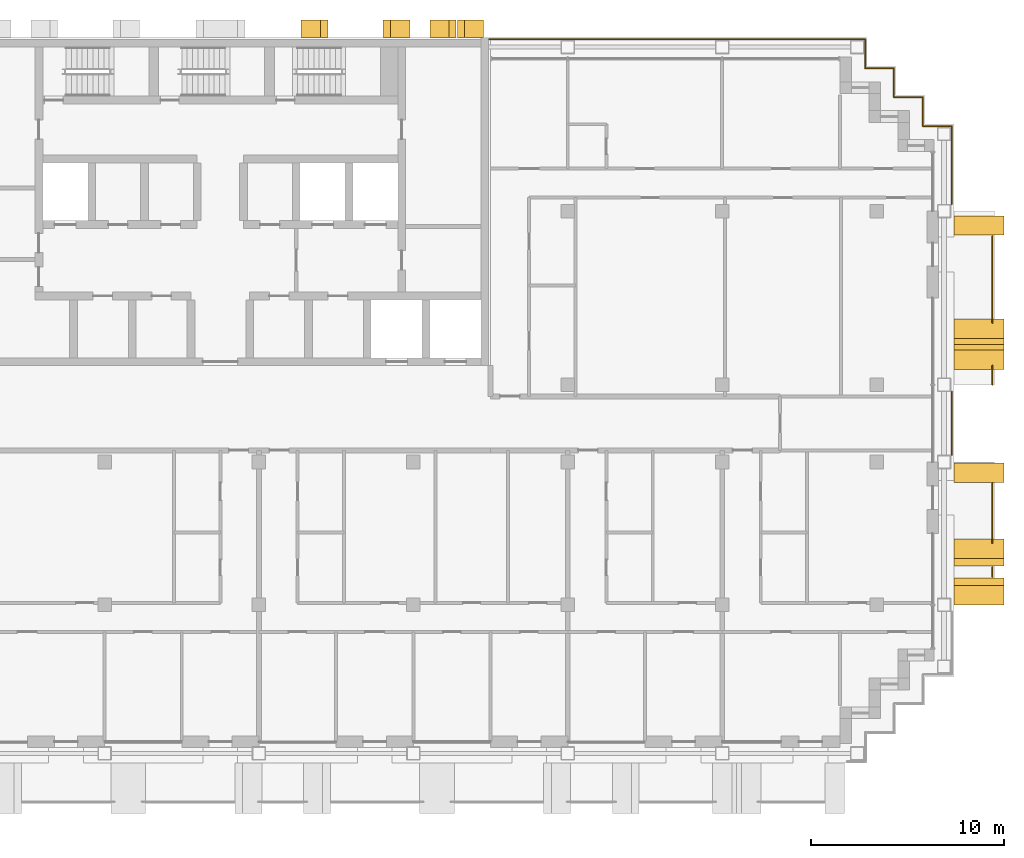
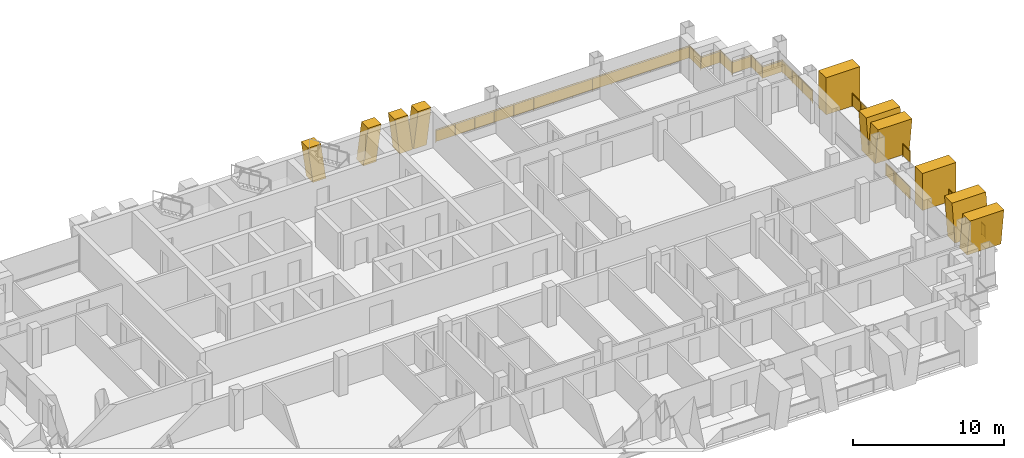
# One storey, part 16 of 16: 9 shading devices, 8 railings.
"""IFC4 building model written with IfcOpenShell, lengths in metres."""

from ifc_helpers import new_model, si_unit, direction, frame, origin, origin_2d, place, context, subcontext, project, spatial, polyline, rectangle, circle, outline, extrude, material, layer, layer_set, type_object, element, save


model = new_model("IFC4")

# Units and contexts
model_context = context("Model", 3, precision=1e-05, world=origin(), true_north=direction((0.0, 1.0)))
body_context = subcontext(model_context, "Body", "Model", "MODEL_VIEW")
ifc_project = project(units=[si_unit("LENGTHUNIT", "METRE"), si_unit("AREAUNIT", "SQUARE_METRE"), si_unit("VOLUMEUNIT", "CUBIC_METRE"), si_unit("PLANEANGLEUNIT", "RADIAN"), si_unit("MASSUNIT", "GRAM", prefix="KILO")], contexts=[model_context])

# Site, building, storey
site_placement = place(None, origin())
site = spatial("IfcSite", under=ifc_project, at=site_placement, CompositionType="ELEMENT")
building_placement = place(site_placement, origin())
building = spatial("IfcBuilding", under=site, at=building_placement, Name="Vidyagriha Tower", CompositionType="ELEMENT")
storey_placement = place(building_placement, frame((0.0, 0.0, 181.300048828125)))
storey = spatial("IfcBuildingStorey", under=building, at=storey_placement, Name="L47", CompositionType="ELEMENT", Elevation=181.300048828125)

# Railings
ifc_material_1 = material(Name="Steel ASTM A500 Grade C black painted", Category="steel")
railing_type_1 = type_object("IfcRailingType", Name="Balcony guard 1100", PredefinedType="BALUSTRADE", material=ifc_material_1)
railing_1_placement = place(storey_placement, frame((40.0, -7.949951171875, 0.0)))
element("IfcRailing", 1, at=railing_1_placement, inside=storey, type_object=railing_type_1, Name="Balcony guard L47 R30.1-1", PredefinedType="BALUSTRADE", context=body_context, shape_type="SweptSolid", body=[
    extrude(circle(Radius=0.02490234375, at=origin_2d()), frame((0.0, 0.0, 1.0751953125), z_axis=(0.0, 1.0, 0.0), x_axis=(-1.0, 0.0, 0.0)), (0.0, 0.0, 1.0), 0.5),
    extrude(circle(Radius=0.02001953125, at=origin_2d()), origin(), (0.0, 0.0, 1.0), 1.050048828125),
    extrude(circle(Radius=0.02001953125, at=origin_2d()), frame((0.0, 0.5, 0.0)), (0.0, 0.0, 1.0), 1.050048828125),
    extrude(rectangle(XDim=0.010009765625, YDim=0.900146484375, at=origin_2d()), frame((0.0, 0.0, 0.550048828125), z_axis=(0.0, 1.0, 0.0), x_axis=(-1.0, 0.0, 0.0)), (0.0, 0.0, 1.0), 0.5),
])
railing_2_placement = place(storey_placement, frame((40.0, -6.19677734375, 0.0)))
element("IfcRailing", 2, at=railing_2_placement, inside=storey, type_object=railing_type_1, Name="Balcony guard L47 R30.1-2", PredefinedType="BALUSTRADE", context=body_context, shape_type="SweptSolid", body=[
    extrude(circle(Radius=0.02490234375, at=origin_2d()), frame((0.0, 0.0, 1.0751953125), z_axis=(0.0, 1.0, 0.0), x_axis=(-1.0, 0.0, 0.0)), (0.0, 0.0, 1.0), 3.0966796875),
    extrude(circle(Radius=0.02001953125, at=origin_2d()), origin(), (0.0, 0.0, 1.0), 1.050048828125),
    extrude(circle(Radius=0.02001953125, at=origin_2d()), frame((0.0, 1.0322265625, 0.0)), (0.0, 0.0, 1.0), 1.050048828125),
    extrude(circle(Radius=0.02001953125, at=origin_2d()), frame((0.0, 2.064453125, 0.0)), (0.0, 0.0, 1.0), 1.050048828125),
    extrude(circle(Radius=0.02001953125, at=origin_2d()), frame((0.0, 3.0966796875, 0.0)), (0.0, 0.0, 1.0), 1.050048828125),
    extrude(rectangle(XDim=0.010009765625, YDim=0.900146484375, at=origin_2d()), frame((0.0, 0.0, 0.550048828125), z_axis=(0.0, 1.0, 0.0), x_axis=(-1.0, 0.0, 0.0)), (0.0, 0.0, 1.0), 3.0966796875),
])
railing_3_placement = place(storey_placement, frame((40.0, 2.0, 0.0)))
element("IfcRailing", 3, at=railing_3_placement, inside=storey, type_object=railing_type_1, Name="Balcony guard L47 R30.2-1", PredefinedType="BALUSTRADE", context=body_context, shape_type="SweptSolid", body=[
    extrude(circle(Radius=0.02490234375, at=origin_2d()), frame((0.0, 0.0, 1.0751953125), z_axis=(0.0, 1.0, 0.0), x_axis=(-1.0, 0.0, 0.0)), (0.0, 0.0, 1.0), 0.99658203125),
    extrude(circle(Radius=0.02001953125, at=origin_2d()), origin(), (0.0, 0.0, 1.0), 1.050048828125),
    extrude(circle(Radius=0.02001953125, at=origin_2d()), frame((0.0, 0.99658203125, 0.0)), (0.0, 0.0, 1.0), 1.050048828125),
    extrude(rectangle(XDim=0.010009765625, YDim=0.900146484375, at=origin_2d()), frame((0.0, 0.0, 0.550048828125), z_axis=(0.0, 1.0, 0.0), x_axis=(-1.0, 0.0, 0.0)), (0.0, 0.0, 1.0), 0.99658203125),
])
railing_4_placement = place(storey_placement, frame((40.0, 5.203369140625, 0.0)))
element("IfcRailing", 4, at=railing_4_placement, inside=storey, type_object=railing_type_1, Name="Balcony guard L47 R30.2-2", PredefinedType="BALUSTRADE", context=body_context, shape_type="SweptSolid", body=[
    extrude(circle(Radius=0.02490234375, at=origin_2d()), frame((0.0, 0.0, 1.0751953125), z_axis=(0.0, 1.0, 0.0), x_axis=(-1.0, 0.0, 0.0)), (0.0, 0.0, 1.0), 4.49658203125),
    extrude(circle(Radius=0.02001953125, at=origin_2d()), origin(), (0.0, 0.0, 1.0), 1.050048828125),
    extrude(circle(Radius=0.02001953125, at=origin_2d()), frame((0.0, 1.1240234375, 0.0)), (0.0, 0.0, 1.0), 1.050048828125),
    extrude(circle(Radius=0.02001953125, at=origin_2d()), frame((0.0, 2.248291015625, 0.0)), (0.0, 0.0, 1.0), 1.050048828125),
    extrude(circle(Radius=0.02001953125, at=origin_2d()), frame((0.0, 3.37255859375, 0.0)), (0.0, 0.0, 1.0), 1.050048828125),
    extrude(circle(Radius=0.02001953125, at=origin_2d()), frame((0.0, 4.49658203125, 0.0)), (0.0, 0.0, 1.0), 1.050048828125),
    extrude(rectangle(XDim=0.010009765625, YDim=0.900146484375, at=origin_2d()), frame((0.0, 0.0, 0.550048828125), z_axis=(0.0, 1.0, 0.0), x_axis=(-1.0, 0.0, 0.0)), (0.0, 0.0, 1.0), 4.49658203125),
])

# Shading devices
ifc_material_2 = material(Name="Precast concrete C40/50 with buff brick facing", Category="concrete")
ifc_layer_1 = layer(ifc_material_2, 1.0)
ifc_layer_set_1 = layer_set([ifc_layer_1], Name="Precast concrete C40/50 with buff brick facing")
shading_device_type_1 = type_object("IfcShadingDeviceType", Name="Brick-faced blade fin arm leaning 8 degrees", PredefinedType="USERDEFINED", material=ifc_layer_set_1)
shading_device_1_placement = place(storey_placement, frame((39.300048828125, -7.39990234375, 0.0), z_axis=(0.0, 0.0, 1.0), x_axis=(0.0, 1.0, 0.0)))
element("IfcShadingDevice", 5, at=shading_device_1_placement, inside=storey, type_object=shading_device_type_1, Name="Leaning blade fin L47 R30.230a", ObjectType="BLADE FIN", PredefinedType="USERDEFINED", context=body_context, shape_type="SweptSolid", body=[
    extrude(outline(polyline([(0.0, 0.0), (1.0, 0.0), (1.39990234375, 3.0), (0.39990234375, 3.0), (0.0, 0.0)])), frame((0.0, 1.300048828125, 0.0), z_axis=(0.0, -1.0, 0.0), x_axis=(1.0, 0.0, 0.0)), (0.0, 0.0, 1.0), 2.60009765625),
])
shading_device_2_placement = place(storey_placement, frame((39.300048828125, -9.39990234375, 0.0), z_axis=(0.0, 0.0, 1.0), x_axis=(0.0, 1.0, 0.0)))
element("IfcShadingDevice", 6, at=shading_device_2_placement, inside=storey, type_object=shading_device_type_1, Name="Leaning blade fin L47 R30.230b", ObjectType="BLADE FIN", PredefinedType="USERDEFINED", context=body_context, shape_type="SweptSolid", body=[
    extrude(outline(polyline([(0.39990234375, 0.0), (1.39990234375, 0.0), (1.0, 3.0), (0.0, 3.0), (0.39990234375, 0.0)])), frame((0.0, 1.300048828125, 0.0), z_axis=(0.0, -1.0, 0.0), x_axis=(1.0, 0.0, 0.0)), (0.0, 0.0, 1.0), 2.60009765625),
])
ifc_material_3 = material(Name="Precast concrete C40/50 with buff brick facing", Category="concrete")
ifc_layer_2 = layer(ifc_material_3, 1.0)
ifc_layer_set_2 = layer_set([ifc_layer_2], Name="Precast concrete C40/50 with buff brick facing")
shading_device_type_2 = type_object("IfcShadingDeviceType", Name="Brick-faced blade fin forking 8 degrees", PredefinedType="USERDEFINED", material=ifc_layer_set_2)
shading_device_3_placement = place(storey_placement, frame((39.300048828125, 2.800048828125, 0.0), z_axis=(0.0, 0.0, 1.0), x_axis=(0.0, 1.0, 0.0)))
element("IfcShadingDevice", 7, at=shading_device_3_placement, inside=storey, type_object=shading_device_type_2, Name="Forked blade fin L47 R30.1370a", ObjectType="BLADE FIN", PredefinedType="USERDEFINED", context=body_context, shape_type="SweptSolid", body=[
    extrude(outline(polyline([(0.39990234375, 0.0), (2.199951171875, 0.0), (2.60009765625, 3.0), (1.60009765625, 3.0), (1.300048828125, 0.75), (1.0, 3.0), (0.0, 3.0), (0.39990234375, 0.0)])), frame((0.0, 1.300048828125, 0.0), z_axis=(0.0, -1.0, 0.0), x_axis=(1.0, 0.0, 0.0)), (0.0, 0.0, 1.0), 2.60009765625),
])
ifc_material_4 = material(Name="Precast concrete C40/50 with buff brick facing", Category="concrete")
ifc_layer_3 = layer(ifc_material_4, 1.0)
ifc_layer_set_3 = layer_set([ifc_layer_3], Name="Precast concrete C40/50 with buff brick facing")
shading_device_type_3 = type_object("IfcShadingDeviceType", Name="Brick-faced blade fin stem 1000", PredefinedType="USERDEFINED", material=ifc_layer_set_3)
for number, where, z_axis, x_axis, name in (
    (8, (39.300048828125, -3.050048828125, 0.0), (0.0, 0.0, 1.0), (0.0, 1.0, 0.0), "Stem blade fin L47 R30.970a"),
    (9, (39.300048828125, 9.75, 0.0), (0.0, 0.0, 1.0), (0.0, 1.0, 0.0), "Stem blade fin L47 R30.2270a"),
):
    element("IfcShadingDevice", number, at=place(storey_placement, frame(where, z_axis=z_axis, x_axis=x_axis)), inside=storey, type_object=shading_device_type_3, Name=name, ObjectType="BLADE FIN", PredefinedType="USERDEFINED", context=body_context, shape_type="SweptSolid", body=[
        extrude(outline(polyline([(0.0, 0.0), (1.0, 0.0), (1.0, 3.0), (0.0, 3.0), (0.0, 0.0)])), frame((0.0, 1.300048828125, 0.0), z_axis=(0.0, -1.0, 0.0), x_axis=(1.0, 0.0, 0.0)), (0.0, 0.0, 1.0), 2.60009765625),
    ])
ifc_material_5 = material(Name="Precast concrete C40/50 with brick facing", Category="concrete")
ifc_layer_4 = layer(ifc_material_5, 1.0)
ifc_layer_set_4 = layer_set([ifc_layer_4], Name="Precast concrete C40/50 with brick facing")
shading_device_type_4 = type_object("IfcShadingDeviceType", Name="Brick-faced rear rib arm leaning 8 degrees", PredefinedType="USERDEFINED", material=ifc_layer_set_4)
shading_device_4_placement = place(storey_placement, frame((12.21435546875, 20.449951171875, 0.0), z_axis=(0.0, 0.0, 1.0), x_axis=(-1.0, 0.0, 0.0)))
element("IfcShadingDevice", 10, at=shading_device_4_placement, inside=storey, type_object=shading_device_type_4, Name="Rear rib arm L47 R08.1a", ObjectType="BLADE FIN", PredefinedType="USERDEFINED", context=body_context, shape_type="SweptSolid", body=[
    extrude(outline(polyline([(0.0, 0.0), (1.0, 0.0), (1.357177734375, 2.919921875), (0.357177734375, 2.919921875), (0.0, 0.0)])), frame((0.0, 0.449951171875, 0.0), z_axis=(0.0, -1.0, 0.0), x_axis=(1.0, 0.0, 0.0)), (0.0, 0.0, 1.0), 0.89990234375),
])
shading_device_5_placement = place(storey_placement, frame((13.642822265625, 20.449951171875, 0.0), z_axis=(0.0, 0.0, 1.0), x_axis=(-1.0, 0.0, 0.0)))
element("IfcShadingDevice", 11, at=shading_device_5_placement, inside=storey, type_object=shading_device_type_4, Name="Rear rib arm L47 R08.1b", ObjectType="BLADE FIN", PredefinedType="USERDEFINED", context=body_context, shape_type="SweptSolid", body=[
    extrude(outline(polyline([(0.357177734375, 0.0), (1.357177734375, 0.0), (1.0, 2.919921875), (0.0, 2.919921875), (0.357177734375, 0.0)])), frame((0.0, 0.449951171875, 0.0), z_axis=(0.0, -1.0, 0.0), x_axis=(1.0, 0.0, 0.0)), (0.0, 0.0, 1.0), 0.89990234375),
])
shading_device_6_placement = place(storey_placement, frame((5.5712890625, 20.449951171875, 0.0), z_axis=(0.0, 0.0, 1.0), x_axis=(-1.0, 0.0, 0.0)))
element("IfcShadingDevice", 12, at=shading_device_6_placement, inside=storey, type_object=shading_device_type_4, Name="Rear rib arm L47 R08.2a", ObjectType="BLADE FIN", PredefinedType="USERDEFINED", context=body_context, shape_type="SweptSolid", body=[
    extrude(outline(polyline([(0.0, 0.0), (1.0, 0.0), (1.3857421875, 2.919921875), (0.3857421875, 2.919921875), (0.0, 0.0)])), frame((0.0, 0.449951171875, 0.0), z_axis=(0.0, -1.0, 0.0), x_axis=(1.0, 0.0, 0.0)), (0.0, 0.0, 1.0), 0.89990234375),
])
shading_device_7_placement = place(storey_placement, frame((9.814208984375, 20.449951171875, 0.0), z_axis=(0.0, 0.0, 1.0), x_axis=(-1.0, 0.0, 0.0)))
element("IfcShadingDevice", 13, at=shading_device_7_placement, inside=storey, type_object=shading_device_type_4, Name="Rear rib arm L47 R08.2b", ObjectType="BLADE FIN", PredefinedType="USERDEFINED", context=body_context, shape_type="SweptSolid", body=[
    extrude(outline(polyline([(0.3857421875, 0.0), (1.3857421875, 0.0), (1.0, 2.919921875), (0.0, 2.919921875), (0.3857421875, 0.0)])), frame((0.0, 0.449951171875, 0.0), z_axis=(0.0, -1.0, 0.0), x_axis=(1.0, 0.0, 0.0)), (0.0, 0.0, 1.0), 0.89990234375),
])

# Railings
ifc_material_6 = material(Name="Steel ASTM A500 Grade C black painted", Category="steel")
railing_type_2 = type_object("IfcRailingType", Name="Gallery guard 1100", PredefinedType="GUARDRAIL", material=ifc_material_6)
railing_5_placement = place(storey_placement, frame((13.929931640625, 19.89990234375, 0.0)))
element("IfcRailing", 14, at=railing_5_placement, inside=storey, type_object=railing_type_2, Name="Gallery guard L47 6", PredefinedType="GUARDRAIL", context=body_context, shape_type="SweptSolid", body=[
    extrude(circle(Radius=0.02490234375, at=origin_2d()), frame((0.0, 0.0, 1.0751953125), z_axis=(1.0, 0.0, 0.0), x_axis=(0.0, 1.0, 0.0)), (0.0, 0.0, 1.0), 12.0),
    extrude(circle(Radius=0.02001953125, at=origin_2d()), origin(), (0.0, 0.0, 1.0), 1.050048828125),
    extrude(circle(Radius=0.02001953125, at=origin_2d()), frame((1.5, 0.0, 0.0)), (0.0, 0.0, 1.0), 1.050048828125),
    extrude(circle(Radius=0.02001953125, at=origin_2d()), frame((3.0, 0.0, 0.0)), (0.0, 0.0, 1.0), 1.050048828125),
    extrude(circle(Radius=0.02001953125, at=origin_2d()), frame((4.5, 0.0, 0.0)), (0.0, 0.0, 1.0), 1.050048828125),
    extrude(circle(Radius=0.02001953125, at=origin_2d()), frame((6.0, 0.0, 0.0)), (0.0, 0.0, 1.0), 1.050048828125),
    extrude(circle(Radius=0.02001953125, at=origin_2d()), frame((7.5, 0.0, 0.0)), (0.0, 0.0, 1.0), 1.050048828125),
    extrude(circle(Radius=0.02001953125, at=origin_2d()), frame((9.0, 0.0, 0.0)), (0.0, 0.0, 1.0), 1.050048828125),
    extrude(circle(Radius=0.02001953125, at=origin_2d()), frame((10.5, 0.0, 0.0)), (0.0, 0.0, 1.0), 1.050048828125),
    extrude(circle(Radius=0.02001953125, at=origin_2d()), frame((12.0, 0.0, 0.0)), (0.0, 0.0, 1.0), 1.050048828125),
    extrude(rectangle(XDim=0.010009765625, YDim=0.900146484375, at=origin_2d()), frame((0.0, 0.0, 0.550048828125), z_axis=(1.0, 0.0, 0.0), x_axis=(0.0, 1.0, 0.0)), (0.0, 0.0, 1.0), 12.0),
])
railing_6_placement = place(storey_placement, frame((25.929931640625, 19.89990234375, 0.0)))
element("IfcRailing", 15, at=railing_6_placement, inside=storey, type_object=railing_type_2, Name="Gallery guard L47 7", PredefinedType="GUARDRAIL", context=body_context, shape_type="SweptSolid", body=[
    extrude(circle(Radius=0.02490234375, at=origin_2d()), frame((0.0, 0.0, 1.0751953125), z_axis=(1.0, 0.0, 0.0), x_axis=(0.0, 1.0, 0.0)), (0.0, 0.0, 1.0), 7.469970703125),
    extrude(circle(Radius=0.02490234375, at=origin_2d()), frame((7.469970703125, 0.0, 1.0751953125), z_axis=(0.0, -1.0, 0.0), x_axis=(1.0, 0.0, 0.0)), (0.0, 0.0, 1.0), 1.5),
    extrude(circle(Radius=0.02490234375, at=origin_2d()), frame((7.469970703125, -1.5, 1.0751953125), z_axis=(1.0, 0.0, 0.0), x_axis=(0.0, 1.0, 0.0)), (0.0, 0.0, 1.0), 1.5),
    extrude(circle(Radius=0.02490234375, at=origin_2d()), frame((8.969970703125, -1.5, 1.0751953125), z_axis=(0.0, -1.0, 0.0), x_axis=(1.0, 0.0, 0.0)), (0.0, 0.0, 1.0), 1.5),
    extrude(circle(Radius=0.02490234375, at=origin_2d()), frame((8.969970703125, -3.0, 1.0751953125), z_axis=(1.0, 0.0, 0.0), x_axis=(0.0, 1.0, 0.0)), (0.0, 0.0, 1.0), 0.030029296875),
    extrude(circle(Radius=0.02001953125, at=origin_2d()), origin(), (0.0, 0.0, 1.0), 1.050048828125),
    extrude(circle(Radius=0.02001953125, at=origin_2d()), frame((1.493896484375, 0.0, 0.0)), (0.0, 0.0, 1.0), 1.050048828125),
    extrude(circle(Radius=0.02001953125, at=origin_2d()), frame((2.988037109375, 0.0, 0.0)), (0.0, 0.0, 1.0), 1.050048828125),
    extrude(circle(Radius=0.02001953125, at=origin_2d()), frame((4.48193359375, 0.0, 0.0)), (0.0, 0.0, 1.0), 1.050048828125),
    extrude(circle(Radius=0.02001953125, at=origin_2d()), frame((5.97607421875, 0.0, 0.0)), (0.0, 0.0, 1.0), 1.050048828125),
    extrude(circle(Radius=0.02001953125, at=origin_2d()), frame((7.469970703125, 0.0, 0.0)), (0.0, 0.0, 1.0), 1.050048828125),
    extrude(circle(Radius=0.02001953125, at=origin_2d()), frame((7.469970703125, -1.5, 0.0)), (0.0, 0.0, 1.0), 1.050048828125),
    extrude(circle(Radius=0.02001953125, at=origin_2d()), frame((8.969970703125, -1.5, 0.0)), (0.0, 0.0, 1.0), 1.050048828125),
    extrude(circle(Radius=0.02001953125, at=origin_2d()), frame((8.969970703125, -3.0, 0.0)), (0.0, 0.0, 1.0), 1.050048828125),
    extrude(circle(Radius=0.02001953125, at=origin_2d()), frame((9.0, -3.0, 0.0)), (0.0, 0.0, 1.0), 1.050048828125),
    extrude(rectangle(XDim=0.010009765625, YDim=0.900146484375, at=origin_2d()), frame((0.0, 0.0, 0.550048828125), z_axis=(1.0, 0.0, 0.0), x_axis=(0.0, 1.0, 0.0)), (0.0, 0.0, 1.0), 7.469970703125),
    extrude(rectangle(XDim=0.010009765625, YDim=0.900146484375, at=origin_2d()), frame((7.469970703125, 0.0, 0.550048828125), z_axis=(0.0, -1.0, 0.0), x_axis=(1.0, 0.0, 0.0)), (0.0, 0.0, 1.0), 1.5),
    extrude(rectangle(XDim=0.010009765625, YDim=0.900146484375, at=origin_2d()), frame((7.469970703125, -1.5, 0.550048828125), z_axis=(1.0, 0.0, 0.0), x_axis=(0.0, 1.0, 0.0)), (0.0, 0.0, 1.0), 1.5),
    extrude(rectangle(XDim=0.010009765625, YDim=0.900146484375, at=origin_2d()), frame((8.969970703125, -1.5, 0.550048828125), z_axis=(0.0, -1.0, 0.0), x_axis=(1.0, 0.0, 0.0)), (0.0, 0.0, 1.0), 1.5),
    extrude(rectangle(XDim=0.010009765625, YDim=0.900146484375, at=origin_2d()), frame((8.969970703125, -3.0, 0.550048828125), z_axis=(1.0, 0.0, 0.0), x_axis=(0.0, 1.0, 0.0)), (0.0, 0.0, 1.0), 0.030029296875),
])
railing_7_placement = place(storey_placement, frame((34.929931640625, 16.89990234375, 0.0)))
element("IfcRailing", 16, at=railing_7_placement, inside=storey, type_object=railing_type_2, Name="Gallery guard L47 8", PredefinedType="GUARDRAIL", context=body_context, shape_type="SweptSolid", body=[
    extrude(circle(Radius=0.02490234375, at=origin_2d()), frame((0.0, 0.0, 1.0751953125), z_axis=(1.0, 0.0, 0.0), x_axis=(0.0, 1.0, 0.0)), (0.0, 0.0, 1.0), 1.469970703125),
    extrude(circle(Radius=0.02490234375, at=origin_2d()), frame((1.469970703125, 0.0, 1.0751953125), z_axis=(0.0, -1.0, 0.0), x_axis=(1.0, 0.0, 0.0)), (0.0, 0.0, 1.0), 1.5),
    extrude(circle(Radius=0.02490234375, at=origin_2d()), frame((1.469970703125, -1.5, 1.0751953125), z_axis=(1.0, 0.0, 0.0), x_axis=(0.0, 1.0, 0.0)), (0.0, 0.0, 1.0), 1.5),
    extrude(circle(Radius=0.02490234375, at=origin_2d()), frame((2.969970703125, -1.5, 1.0751953125), z_axis=(0.0, -1.0, 0.0), x_axis=(1.0, 0.0, 0.0)), (0.0, 0.0, 1.0), 4.039794921875),
    extrude(circle(Radius=0.02001953125, at=origin_2d()), origin(), (0.0, 0.0, 1.0), 1.050048828125),
    extrude(circle(Radius=0.02001953125, at=origin_2d()), frame((1.469970703125, 0.0, 0.0)), (0.0, 0.0, 1.0), 1.050048828125),
    extrude(circle(Radius=0.02001953125, at=origin_2d()), frame((1.469970703125, -1.5, 0.0)), (0.0, 0.0, 1.0), 1.050048828125),
    extrude(circle(Radius=0.02001953125, at=origin_2d()), frame((2.969970703125, -1.5, 0.0)), (0.0, 0.0, 1.0), 1.050048828125),
    extrude(circle(Radius=0.02001953125, at=origin_2d()), frame((2.969970703125, -2.8466796875, 0.0)), (0.0, 0.0, 1.0), 1.050048828125),
    extrude(circle(Radius=0.02001953125, at=origin_2d()), frame((2.969970703125, -4.193115234375, 0.0)), (0.0, 0.0, 1.0), 1.050048828125),
    extrude(circle(Radius=0.02001953125, at=origin_2d()), frame((2.969970703125, -5.539794921875, 0.0)), (0.0, 0.0, 1.0), 1.050048828125),
    extrude(rectangle(XDim=0.010009765625, YDim=0.900146484375, at=origin_2d()), frame((0.0, 0.0, 0.550048828125), z_axis=(1.0, 0.0, 0.0), x_axis=(0.0, 1.0, 0.0)), (0.0, 0.0, 1.0), 1.469970703125),
    extrude(rectangle(XDim=0.010009765625, YDim=0.900146484375, at=origin_2d()), frame((1.469970703125, 0.0, 0.550048828125), z_axis=(0.0, -1.0, 0.0), x_axis=(1.0, 0.0, 0.0)), (0.0, 0.0, 1.0), 1.5),
    extrude(rectangle(XDim=0.010009765625, YDim=0.900146484375, at=origin_2d()), frame((1.469970703125, -1.5, 0.550048828125), z_axis=(1.0, 0.0, 0.0), x_axis=(0.0, 1.0, 0.0)), (0.0, 0.0, 1.0), 1.5),
    extrude(rectangle(XDim=0.010009765625, YDim=0.900146484375, at=origin_2d()), frame((2.969970703125, -1.5, 0.550048828125), z_axis=(0.0, -1.0, 0.0), x_axis=(1.0, 0.0, 0.0)), (0.0, 0.0, 1.0), 4.039794921875),
])
railing_8_placement = place(storey_placement, frame((37.89990234375, 1.639892578125, 0.0)))
element("IfcRailing", 17, at=railing_8_placement, inside=storey, type_object=railing_type_2, Name="Gallery guard L47 11", PredefinedType="GUARDRAIL", context=body_context, shape_type="SweptSolid", body=[
    extrude(circle(Radius=0.02490234375, at=origin_2d()), frame((0.0, 0.0, 1.0751953125), z_axis=(0.0, -1.0, 0.0), x_axis=(1.0, 0.0, 0.0)), (0.0, 0.0, 1.0), 3.27978515625),
    extrude(circle(Radius=0.02001953125, at=origin_2d()), origin(), (0.0, 0.0, 1.0), 1.050048828125),
    extrude(circle(Radius=0.02001953125, at=origin_2d()), frame((0.0, -1.09326171875, 0.0)), (0.0, 0.0, 1.0), 1.050048828125),
    extrude(circle(Radius=0.02001953125, at=origin_2d()), frame((0.0, -2.1865234375, 0.0)), (0.0, 0.0, 1.0), 1.050048828125),
    extrude(circle(Radius=0.02001953125, at=origin_2d()), frame((0.0, -3.27978515625, 0.0)), (0.0, 0.0, 1.0), 1.050048828125),
    extrude(rectangle(XDim=0.010009765625, YDim=0.900146484375, at=origin_2d()), frame((0.0, 0.0, 0.550048828125), z_axis=(0.0, -1.0, 0.0), x_axis=(1.0, 0.0, 0.0)), (0.0, 0.0, 1.0), 3.27978515625),
])

save(model, "model.ifc")
